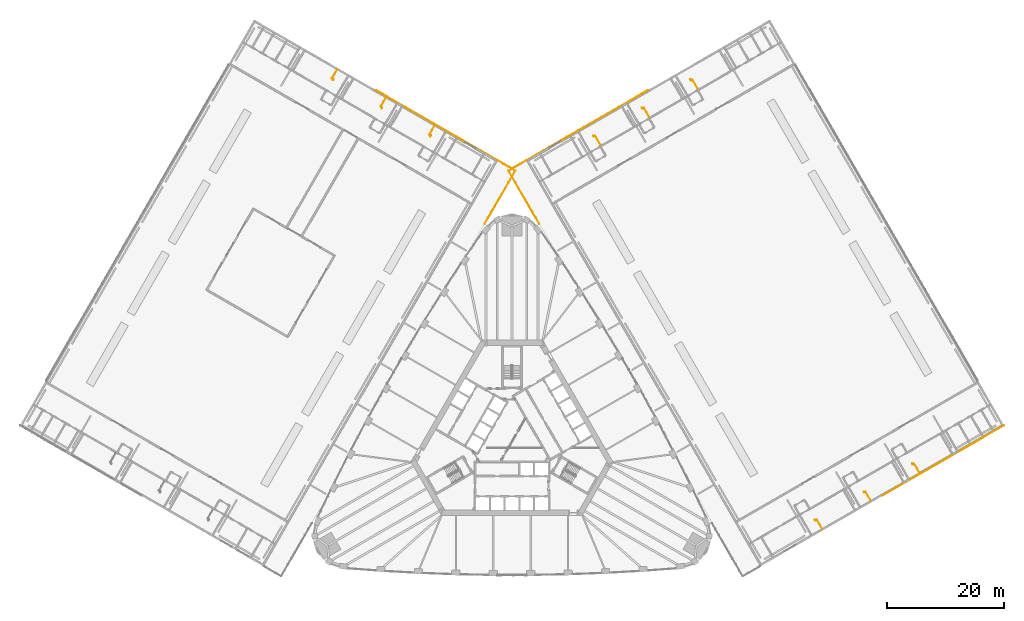
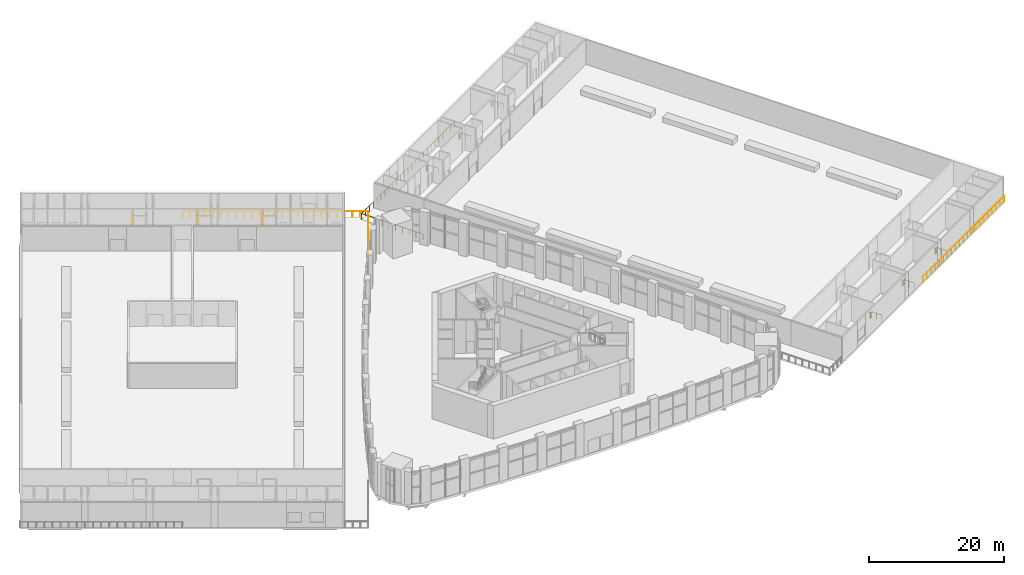
# One storey, part 40 of 41: 12 railings.
"""IFC4 building model written with IfcOpenShell, lengths in metres."""

from ifc_helpers import new_model, si_unit, direction, frame, origin, origin_2d, place, context, subcontext, project, spatial, circle, extrude, material, type_object, element, save


model = new_model("IFC4")

# Units and contexts
model_context = context("Model", 3, precision=1e-05, world=origin(), true_north=direction((0.0, 1.0)))
body_context = subcontext(model_context, "Body", "Model", "MODEL_VIEW")
ifc_project = project(units=[si_unit("LENGTHUNIT", "METRE"), si_unit("AREAUNIT", "SQUARE_METRE"), si_unit("VOLUMEUNIT", "CUBIC_METRE"), si_unit("PLANEANGLEUNIT", "RADIAN"), si_unit("MASSUNIT", "GRAM", prefix="KILO")], contexts=[model_context])

# Site, building, storey
site_placement = place(None, origin())
site = spatial("IfcSite", under=ifc_project, at=site_placement, CompositionType="ELEMENT")
building_placement = place(site_placement, origin())
building = spatial("IfcBuilding", under=site, at=building_placement, Name="Mestral Congress Tower", CompositionType="ELEMENT")
storey_placement = place(building_placement, frame((0.0, 0.0, 21.60009765625)))
storey = spatial("IfcBuildingStorey", under=building, at=storey_placement, Name="L04", CompositionType="ELEMENT", Elevation=21.60009765625)

# Railings
ifc_material = material(Name="Steel balustrade", Category="steel")
railing_type_1 = type_object("IfcRailingType", Name="Podium deck guard 1100", PredefinedType="GUARDRAIL", material=ifc_material)
railing_1_placement = place(storey_placement, frame((4.66455078125, 36.77685546875, 0.0)))
element("IfcRailing", 1, at=railing_1_placement, inside=storey, type_object=railing_type_1, Name="Garden deck guard", PredefinedType="GUARDRAIL", context=body_context, shape_type="SweptSolid", body=[
    extrude(circle(Radius=0.02392578125, at=origin_2d()), frame((0.0, 0.0, 1.076171875), z_axis=(-0.500014106551, 0.86601725921, 0.0), x_axis=(-0.86601725921, -0.500014106551, 0.0)), (0.0, 0.0, 1.0), 10.482666015625),
    extrude(circle(Radius=0.02392578125, at=origin_2d()), frame((-5.241455078125, 9.078125, 1.076171875), z_axis=(0.866036909293, 0.499980071345, 0.0), x_axis=(-0.499980071345, 0.866036909293, 0.0)), (0.0, 0.0, 1.0), 3.500244140625),
    extrude(circle(Radius=0.02392578125, at=origin_2d()), frame((-2.210205078125, 10.828125, 1.076171875), z_axis=(0.866026010844, 0.49999894854, 0.0), x_axis=(-0.49999894854, 0.866026010844, 0.0)), (0.0, 0.0, 1.0), 24.0),
    extrude(circle(Radius=0.02099609375, at=origin_2d()), origin(), (0.0, 0.0, 1.0), 1.052001953125),
    extrude(circle(Radius=0.02099609375, at=origin_2d()), frame((-0.582275390625, 1.0087890625, 0.0)), (0.0, 0.0, 1.0), 1.052001953125),
    extrude(circle(Radius=0.02099609375, at=origin_2d()), frame((-1.164794921875, 2.017333984375, 0.0)), (0.0, 0.0, 1.0), 1.052001953125),
    extrude(circle(Radius=0.02099609375, at=origin_2d()), frame((-1.7470703125, 3.026123046875, 0.0)), (0.0, 0.0, 1.0), 1.052001953125),
    extrude(circle(Radius=0.02099609375, at=origin_2d()), frame((-2.32958984375, 4.03466796875, 0.0)), (0.0, 0.0, 1.0), 1.052001953125),
    extrude(circle(Radius=0.02099609375, at=origin_2d()), frame((-2.911865234375, 5.04345703125, 0.0)), (0.0, 0.0, 1.0), 1.052001953125),
    extrude(circle(Radius=0.02099609375, at=origin_2d()), frame((-3.494384765625, 6.052001953125, 0.0)), (0.0, 0.0, 1.0), 1.052001953125),
    extrude(circle(Radius=0.02099609375, at=origin_2d()), frame((-4.07666015625, 7.060791015625, 0.0)), (0.0, 0.0, 1.0), 1.052001953125),
    extrude(circle(Radius=0.02099609375, at=origin_2d()), frame((-4.6591796875, 8.0693359375, 0.0)), (0.0, 0.0, 1.0), 1.052001953125),
    extrude(circle(Radius=0.02099609375, at=origin_2d()), frame((-5.241455078125, 9.078125, 0.0)), (0.0, 0.0, 1.0), 1.052001953125),
    extrude(circle(Radius=0.02099609375, at=origin_2d()), frame((-4.23095703125, 9.661376953125, 0.0)), (0.0, 0.0, 1.0), 1.052001953125),
    extrude(circle(Radius=0.02099609375, at=origin_2d()), frame((-3.220703125, 10.244873046875, 0.0)), (0.0, 0.0, 1.0), 1.052001953125),
    extrude(circle(Radius=0.02099609375, at=origin_2d()), frame((-2.210205078125, 10.828125, 0.0)), (0.0, 0.0, 1.0), 1.052001953125),
    extrude(circle(Radius=0.02099609375, at=origin_2d()), frame((-1.220458984375, 11.399658203125, 0.0)), (0.0, 0.0, 1.0), 1.052001953125),
    extrude(circle(Radius=0.02099609375, at=origin_2d()), frame((-0.230712890625, 11.970947265625, 0.0)), (0.0, 0.0, 1.0), 1.052001953125),
    extrude(circle(Radius=0.02099609375, at=origin_2d()), frame((0.759033203125, 12.54248046875, 0.0)), (0.0, 0.0, 1.0), 1.052001953125),
    extrude(circle(Radius=0.02099609375, at=origin_2d()), frame((1.748779296875, 13.11376953125, 0.0)), (0.0, 0.0, 1.0), 1.052001953125),
    extrude(circle(Radius=0.02099609375, at=origin_2d()), frame((2.738525390625, 13.685302734375, 0.0)), (0.0, 0.0, 1.0), 1.052001953125),
    extrude(circle(Radius=0.02099609375, at=origin_2d()), frame((3.728271484375, 14.256591796875, 0.0)), (0.0, 0.0, 1.0), 1.052001953125),
    extrude(circle(Radius=0.02099609375, at=origin_2d()), frame((4.718017578125, 14.828125, 0.0)), (0.0, 0.0, 1.0), 1.052001953125),
    extrude(circle(Radius=0.02099609375, at=origin_2d()), frame((5.707763671875, 15.399658203125, 0.0)), (0.0, 0.0, 1.0), 1.052001953125),
    extrude(circle(Radius=0.02099609375, at=origin_2d()), frame((6.697509765625, 15.970947265625, 0.0)), (0.0, 0.0, 1.0), 1.052001953125),
    extrude(circle(Radius=0.02099609375, at=origin_2d()), frame((7.687255859375, 16.54248046875, 0.0)), (0.0, 0.0, 1.0), 1.052001953125),
    extrude(circle(Radius=0.02099609375, at=origin_2d()), frame((8.677001953125, 17.11376953125, 0.0)), (0.0, 0.0, 1.0), 1.052001953125),
    extrude(circle(Radius=0.02099609375, at=origin_2d()), frame((9.666748046875, 17.685302734375, 0.0)), (0.0, 0.0, 1.0), 1.052001953125),
    extrude(circle(Radius=0.02099609375, at=origin_2d()), frame((10.656494140625, 18.256591796875, 0.0)), (0.0, 0.0, 1.0), 1.052001953125),
    extrude(circle(Radius=0.02099609375, at=origin_2d()), frame((11.646240234375, 18.828125, 0.0)), (0.0, 0.0, 1.0), 1.052001953125),
    extrude(circle(Radius=0.02099609375, at=origin_2d()), frame((12.635986328125, 19.399658203125, 0.0)), (0.0, 0.0, 1.0), 1.052001953125),
    extrude(circle(Radius=0.02099609375, at=origin_2d()), frame((13.625732421875, 19.970947265625, 0.0)), (0.0, 0.0, 1.0), 1.052001953125),
    extrude(circle(Radius=0.02099609375, at=origin_2d()), frame((14.615478515625, 20.54248046875, 0.0)), (0.0, 0.0, 1.0), 1.052001953125),
    extrude(circle(Radius=0.02099609375, at=origin_2d()), frame((15.605224609375, 21.11376953125, 0.0)), (0.0, 0.0, 1.0), 1.052001953125),
    extrude(circle(Radius=0.02099609375, at=origin_2d()), frame((16.594970703125, 21.685302734375, 0.0)), (0.0, 0.0, 1.0), 1.052001953125),
    extrude(circle(Radius=0.02099609375, at=origin_2d()), frame((17.584716796875, 22.256591796875, 0.0)), (0.0, 0.0, 1.0), 1.052001953125),
    extrude(circle(Radius=0.02099609375, at=origin_2d()), frame((18.574462890625, 22.828125, 0.0)), (0.0, 0.0, 1.0), 1.052001953125),
])
railing_2_placement = place(storey_placement, frame((84.0234375, 2.322998046875, 0.0)))
element("IfcRailing", 2, at=railing_2_placement, inside=storey, type_object=railing_type_1, Name="Garden deck guard", PredefinedType="GUARDRAIL", context=body_context, shape_type="SweptSolid", body=[
    extrude(circle(Radius=0.02392578125, at=origin_2d()), frame((0.0, 0.0, 1.076171875), z_axis=(-0.866023467695, -0.50000335339, 0.0), x_axis=(0.50000335339, -0.866023467695, 0.0)), (0.0, 0.0, 1.0), 23.999755859375),
    extrude(circle(Radius=0.02099609375, at=origin_2d()), origin(), (0.0, 0.0, 1.0), 1.052001953125),
    extrude(circle(Radius=0.02099609375, at=origin_2d()), frame((-1.039306640625, -0.60009765625, 0.0)), (0.0, 0.0, 1.0), 1.052001953125),
    extrude(circle(Radius=0.02099609375, at=origin_2d()), frame((-2.078369140625, -1.199951171875, 0.0)), (0.0, 0.0, 1.0), 1.052001953125),
    extrude(circle(Radius=0.02099609375, at=origin_2d()), frame((-3.11767578125, -1.800048828125, 0.0)), (0.0, 0.0, 1.0), 1.052001953125),
    extrude(circle(Radius=0.02099609375, at=origin_2d()), frame((-4.156982421875, -2.39990234375, 0.0)), (0.0, 0.0, 1.0), 1.052001953125),
    extrude(circle(Radius=0.02099609375, at=origin_2d()), frame((-5.196044921875, -3.0, 0.0)), (0.0, 0.0, 1.0), 1.052001953125),
    extrude(circle(Radius=0.02099609375, at=origin_2d()), frame((-6.2353515625, -3.60009765625, 0.0)), (0.0, 0.0, 1.0), 1.052001953125),
    extrude(circle(Radius=0.02099609375, at=origin_2d()), frame((-7.274658203125, -4.199951171875, 0.0)), (0.0, 0.0, 1.0), 1.052001953125),
    extrude(circle(Radius=0.02099609375, at=origin_2d()), frame((-8.313720703125, -4.800048828125, 0.0)), (0.0, 0.0, 1.0), 1.052001953125),
    extrude(circle(Radius=0.02099609375, at=origin_2d()), frame((-9.35302734375, -5.39990234375, 0.0)), (0.0, 0.0, 1.0), 1.052001953125),
    extrude(circle(Radius=0.02099609375, at=origin_2d()), frame((-10.39208984375, -6.0, 0.0)), (0.0, 0.0, 1.0), 1.052001953125),
    extrude(circle(Radius=0.02099609375, at=origin_2d()), frame((-11.431396484375, -6.60009765625, 0.0)), (0.0, 0.0, 1.0), 1.052001953125),
    extrude(circle(Radius=0.02099609375, at=origin_2d()), frame((-12.470703125, -7.199951171875, 0.0)), (0.0, 0.0, 1.0), 1.052001953125),
    extrude(circle(Radius=0.02099609375, at=origin_2d()), frame((-13.509765625, -7.800048828125, 0.0)), (0.0, 0.0, 1.0), 1.052001953125),
    extrude(circle(Radius=0.02099609375, at=origin_2d()), frame((-14.549072265625, -8.39990234375, 0.0)), (0.0, 0.0, 1.0), 1.052001953125),
    extrude(circle(Radius=0.02099609375, at=origin_2d()), frame((-15.58837890625, -9.0, 0.0)), (0.0, 0.0, 1.0), 1.052001953125),
    extrude(circle(Radius=0.02099609375, at=origin_2d()), frame((-16.62744140625, -9.60009765625, 0.0)), (0.0, 0.0, 1.0), 1.052001953125),
    extrude(circle(Radius=0.02099609375, at=origin_2d()), frame((-17.666748046875, -10.199951171875, 0.0)), (0.0, 0.0, 1.0), 1.052001953125),
    extrude(circle(Radius=0.02099609375, at=origin_2d()), frame((-18.7060546875, -10.800048828125, 0.0)), (0.0, 0.0, 1.0), 1.052001953125),
    extrude(circle(Radius=0.02099609375, at=origin_2d()), frame((-19.7451171875, -11.39990234375, 0.0)), (0.0, 0.0, 1.0), 1.052001953125),
    extrude(circle(Radius=0.02099609375, at=origin_2d()), frame((-20.784423828125, -12.0, 0.0)), (0.0, 0.0, 1.0), 1.052001953125),
])
railing_3_placement = place(storey_placement, frame((-23.239013671875, 59.60498046875, 0.0)))
element("IfcRailing", 3, at=railing_3_placement, inside=storey, type_object=railing_type_1, Name="Garden deck guard", PredefinedType="GUARDRAIL", context=body_context, shape_type="SweptSolid", body=[
    extrude(circle(Radius=0.02392578125, at=origin_2d()), frame((0.0, 0.0, 1.076171875), z_axis=(0.866026010844, -0.49999894854, 0.0), x_axis=(0.49999894854, 0.866026010844, 0.0)), (0.0, 0.0, 1.0), 24.0),
    extrude(circle(Radius=0.02392578125, at=origin_2d()), frame((20.78466796875, -12.0, 1.076171875), z_axis=(0.866036909293, -0.499980071345, 0.0), x_axis=(0.499980071345, 0.866036909293, 0.0)), (0.0, 0.0, 1.0), 3.500244140625),
    extrude(circle(Radius=0.02392578125, at=origin_2d()), frame((23.81591796875, -13.75, 1.076171875), z_axis=(-0.500014106551, -0.86601725921, 0.0), x_axis=(0.86601725921, -0.500014106551, 0.0)), (0.0, 0.0, 1.0), 10.482666015625),
    extrude(circle(Radius=0.02099609375, at=origin_2d()), origin(), (0.0, 0.0, 1.0), 1.052001953125),
    extrude(circle(Radius=0.02099609375, at=origin_2d()), frame((0.98974609375, -0.571533203125, 0.0)), (0.0, 0.0, 1.0), 1.052001953125),
    extrude(circle(Radius=0.02099609375, at=origin_2d()), frame((1.9794921875, -1.142822265625, 0.0)), (0.0, 0.0, 1.0), 1.052001953125),
    extrude(circle(Radius=0.02099609375, at=origin_2d()), frame((2.96923828125, -1.71435546875, 0.0)), (0.0, 0.0, 1.0), 1.052001953125),
    extrude(circle(Radius=0.02099609375, at=origin_2d()), frame((3.958984375, -2.28564453125, 0.0)), (0.0, 0.0, 1.0), 1.052001953125),
    extrude(circle(Radius=0.02099609375, at=origin_2d()), frame((4.94873046875, -2.857177734375, 0.0)), (0.0, 0.0, 1.0), 1.052001953125),
    extrude(circle(Radius=0.02099609375, at=origin_2d()), frame((5.9384765625, -3.428466796875, 0.0)), (0.0, 0.0, 1.0), 1.052001953125),
    extrude(circle(Radius=0.02099609375, at=origin_2d()), frame((6.92822265625, -4.0, 0.0)), (0.0, 0.0, 1.0), 1.052001953125),
    extrude(circle(Radius=0.02099609375, at=origin_2d()), frame((7.91796875, -4.571533203125, 0.0)), (0.0, 0.0, 1.0), 1.052001953125),
    extrude(circle(Radius=0.02099609375, at=origin_2d()), frame((8.90771484375, -5.142822265625, 0.0)), (0.0, 0.0, 1.0), 1.052001953125),
    extrude(circle(Radius=0.02099609375, at=origin_2d()), frame((9.8974609375, -5.71435546875, 0.0)), (0.0, 0.0, 1.0), 1.052001953125),
    extrude(circle(Radius=0.02099609375, at=origin_2d()), frame((10.88720703125, -6.28564453125, 0.0)), (0.0, 0.0, 1.0), 1.052001953125),
    extrude(circle(Radius=0.02099609375, at=origin_2d()), frame((11.876953125, -6.857177734375, 0.0)), (0.0, 0.0, 1.0), 1.052001953125),
    extrude(circle(Radius=0.02099609375, at=origin_2d()), frame((12.86669921875, -7.428466796875, 0.0)), (0.0, 0.0, 1.0), 1.052001953125),
    extrude(circle(Radius=0.02099609375, at=origin_2d()), frame((13.8564453125, -8.0, 0.0)), (0.0, 0.0, 1.0), 1.052001953125),
    extrude(circle(Radius=0.02099609375, at=origin_2d()), frame((14.84619140625, -8.571533203125, 0.0)), (0.0, 0.0, 1.0), 1.052001953125),
    extrude(circle(Radius=0.02099609375, at=origin_2d()), frame((15.8359375, -9.142822265625, 0.0)), (0.0, 0.0, 1.0), 1.052001953125),
    extrude(circle(Radius=0.02099609375, at=origin_2d()), frame((16.82568359375, -9.71435546875, 0.0)), (0.0, 0.0, 1.0), 1.052001953125),
    extrude(circle(Radius=0.02099609375, at=origin_2d()), frame((17.8154296875, -10.28564453125, 0.0)), (0.0, 0.0, 1.0), 1.052001953125),
    extrude(circle(Radius=0.02099609375, at=origin_2d()), frame((18.80517578125, -10.857177734375, 0.0)), (0.0, 0.0, 1.0), 1.052001953125),
    extrude(circle(Radius=0.02099609375, at=origin_2d()), frame((19.794921875, -11.428466796875, 0.0)), (0.0, 0.0, 1.0), 1.052001953125),
    extrude(circle(Radius=0.02099609375, at=origin_2d()), frame((20.78466796875, -12.0, 0.0)), (0.0, 0.0, 1.0), 1.052001953125),
    extrude(circle(Radius=0.02099609375, at=origin_2d()), frame((21.795166015625, -12.583251953125, 0.0)), (0.0, 0.0, 1.0), 1.052001953125),
    extrude(circle(Radius=0.02099609375, at=origin_2d()), frame((22.805419921875, -13.166748046875, 0.0)), (0.0, 0.0, 1.0), 1.052001953125),
    extrude(circle(Radius=0.02099609375, at=origin_2d()), frame((23.81591796875, -13.75, 0.0)), (0.0, 0.0, 1.0), 1.052001953125),
    extrude(circle(Radius=0.02099609375, at=origin_2d()), frame((23.233642578125, -14.7587890625, 0.0)), (0.0, 0.0, 1.0), 1.052001953125),
    extrude(circle(Radius=0.02099609375, at=origin_2d()), frame((22.651123046875, -15.767333984375, 0.0)), (0.0, 0.0, 1.0), 1.052001953125),
    extrude(circle(Radius=0.02099609375, at=origin_2d()), frame((22.06884765625, -16.776123046875, 0.0)), (0.0, 0.0, 1.0), 1.052001953125),
    extrude(circle(Radius=0.02099609375, at=origin_2d()), frame((21.486328125, -17.78466796875, 0.0)), (0.0, 0.0, 1.0), 1.052001953125),
    extrude(circle(Radius=0.02099609375, at=origin_2d()), frame((20.904052734375, -18.79345703125, 0.0)), (0.0, 0.0, 1.0), 1.052001953125),
    extrude(circle(Radius=0.02099609375, at=origin_2d()), frame((20.321533203125, -19.802001953125, 0.0)), (0.0, 0.0, 1.0), 1.052001953125),
    extrude(circle(Radius=0.02099609375, at=origin_2d()), frame((19.7392578125, -20.810791015625, 0.0)), (0.0, 0.0, 1.0), 1.052001953125),
    extrude(circle(Radius=0.02099609375, at=origin_2d()), frame((19.15673828125, -21.8193359375, 0.0)), (0.0, 0.0, 1.0), 1.052001953125),
    extrude(circle(Radius=0.02099609375, at=origin_2d()), frame((18.574462890625, -22.828125, 0.0)), (0.0, 0.0, 1.0), 1.052001953125),
])
railing_type_2 = type_object("IfcRailingType", Name="Podium stair guard 1100", PredefinedType="GUARDRAIL", material=ifc_material)
railing_4_placement = place(storey_placement, frame((52.9814453125, -15.310546875, 0.0)))
element("IfcRailing", 4, at=railing_4_placement, inside=storey, type_object=railing_type_2, Name="L04 PS-E1 top well guard 1", PredefinedType="GUARDRAIL", context=body_context, shape_type="SweptSolid", body=[
    extrude(circle(Radius=0.02392578125, at=origin_2d()), frame((0.0, 0.0, 1.076171875), z_axis=(-0.499980071345, 0.866036909293, 0.0), x_axis=(-0.866036909293, -0.499980071345, 0.0)), (0.0, 0.0, 1.0), 1.75),
    extrude(circle(Radius=0.02392578125, at=origin_2d()), frame((-0.875, 1.515625, 1.076171875), z_axis=(-0.866059450854, -0.499941024108, 0.0), x_axis=(0.499941024108, -0.866059450854, 0.0)), (0.0, 0.0, 1.0), 0.2900390625),
    extrude(circle(Radius=0.02392578125, at=origin_2d()), frame((-1.126220703125, 1.37060546875, 1.076171875), z_axis=(-0.499687197852, 0.866205924883, 0.0), x_axis=(-0.866205924883, -0.499687197852, 0.0)), (0.0, 0.0, 1.0), 0.199951171875),
    extrude(circle(Radius=0.02099609375, at=origin_2d()), origin(), (0.0, 0.0, 1.0), 1.052001953125),
    extrude(circle(Radius=0.02099609375, at=origin_2d()), frame((-0.4375, 0.7578125, 0.0)), (0.0, 0.0, 1.0), 1.052001953125),
    extrude(circle(Radius=0.02099609375, at=origin_2d()), frame((-0.875, 1.515625, 0.0)), (0.0, 0.0, 1.0), 1.052001953125),
    extrude(circle(Radius=0.02099609375, at=origin_2d()), frame((-1.126220703125, 1.37060546875, 0.0)), (0.0, 0.0, 1.0), 1.052001953125),
    extrude(circle(Radius=0.02099609375, at=origin_2d()), frame((-1.22607421875, 1.543701171875, 0.0)), (0.0, 0.0, 1.0), 1.052001953125),
])
railing_5_placement = place(storey_placement, frame((61.295166015625, -10.510498046875, 0.0)))
element("IfcRailing", 5, at=railing_5_placement, inside=storey, type_object=railing_type_2, Name="L04 PS-E2 top well guard 1", PredefinedType="GUARDRAIL", context=body_context, shape_type="SweptSolid", body=[
    extrude(circle(Radius=0.02392578125, at=origin_2d()), frame((0.0, 0.0, 1.076171875), z_axis=(-0.499980071345, 0.866036909293, 0.0), x_axis=(-0.866036909293, -0.499980071345, 0.0)), (0.0, 0.0, 1.0), 1.75),
    extrude(circle(Radius=0.02392578125, at=origin_2d()), frame((-0.875, 1.515625, 1.076171875), z_axis=(-0.865848857387, -0.500305662732, 0.0), x_axis=(0.500305662732, -0.865848857387, 0.0)), (0.0, 0.0, 1.0), 0.289794921875),
    extrude(circle(Radius=0.02392578125, at=origin_2d()), frame((-1.1259765625, 1.37060546875, 1.076171875), z_axis=(-0.500603037456, 0.865676959893, 0.0), x_axis=(-0.865676959893, -0.500603037456, 0.0)), (0.0, 0.0, 1.0), 0.199951171875),
    extrude(circle(Radius=0.02099609375, at=origin_2d()), origin(), (0.0, 0.0, 1.0), 1.052001953125),
    extrude(circle(Radius=0.02099609375, at=origin_2d()), frame((-0.4375, 0.7578125, 0.0)), (0.0, 0.0, 1.0), 1.052001953125),
    extrude(circle(Radius=0.02099609375, at=origin_2d()), frame((-0.875, 1.515625, 0.0)), (0.0, 0.0, 1.0), 1.052001953125),
    extrude(circle(Radius=0.02099609375, at=origin_2d()), frame((-1.1259765625, 1.37060546875, 0.0)), (0.0, 0.0, 1.0), 1.052001953125),
    extrude(circle(Radius=0.02099609375, at=origin_2d()), frame((-1.22607421875, 1.543701171875, 0.0)), (0.0, 0.0, 1.0), 1.052001953125),
])
railing_6_placement = place(storey_placement, frame((69.609130859375, -5.71044921875, 0.0)))
element("IfcRailing", 6, at=railing_6_placement, inside=storey, type_object=railing_type_2, Name="L04 PS-E3 top well guard 1", PredefinedType="GUARDRAIL", context=body_context, shape_type="SweptSolid", body=[
    extrude(circle(Radius=0.02392578125, at=origin_2d()), frame((0.0, 0.0, 1.076171875), z_axis=(-0.500040482552, 0.866002029911, 0.0), x_axis=(-0.866002029911, -0.500040482552, 0.0)), (0.0, 0.0, 1.0), 1.749755859375),
    extrude(circle(Radius=0.02392578125, at=origin_2d()), frame((-0.875, 1.515380859375, 1.076171875), z_axis=(-0.86642379104, -0.499309337305, 0.0), x_axis=(0.499309337305, -0.86642379104, 0.0)), (0.0, 0.0, 1.0), 0.2900390625),
    extrude(circle(Radius=0.02392578125, at=origin_2d()), frame((-1.126220703125, 1.37060546875, 1.076171875), z_axis=(-0.500603037456, 0.865676959893, 0.0), x_axis=(-0.865676959893, -0.500603037456, 0.0)), (0.0, 0.0, 1.0), 0.199951171875),
    extrude(circle(Radius=0.02099609375, at=origin_2d()), origin(), (0.0, 0.0, 1.0), 1.052001953125),
    extrude(circle(Radius=0.02099609375, at=origin_2d()), frame((-0.4375, 0.7578125, 0.0)), (0.0, 0.0, 1.0), 1.052001953125),
    extrude(circle(Radius=0.02099609375, at=origin_2d()), frame((-0.875, 1.515380859375, 0.0)), (0.0, 0.0, 1.0), 1.052001953125),
    extrude(circle(Radius=0.02099609375, at=origin_2d()), frame((-1.126220703125, 1.37060546875, 0.0)), (0.0, 0.0, 1.0), 1.052001953125),
    extrude(circle(Radius=0.02099609375, at=origin_2d()), frame((-1.226318359375, 1.543701171875, 0.0)), (0.0, 0.0, 1.0), 1.052001953125),
])
railing_7_placement = place(storey_placement, frame((15.1064453125, 50.291015625, 0.0)))
element("IfcRailing", 7, at=railing_7_placement, inside=storey, type_object=railing_type_2, Name="L04 PS-E4 top well guard 1", PredefinedType="GUARDRAIL", context=body_context, shape_type="SweptSolid", body=[
    extrude(circle(Radius=0.02392578125, at=origin_2d()), frame((0.0, 0.0, 1.076171875), z_axis=(-0.500040482552, 0.866002029911, 0.0), x_axis=(-0.866002029911, -0.500040482552, 0.0)), (0.0, 0.0, 1.0), 1.749755859375),
    extrude(circle(Radius=0.02392578125, at=origin_2d()), frame((-0.875, 1.515380859375, 1.076171875), z_axis=(-0.866059450854, -0.499941024108, 0.0), x_axis=(0.499941024108, -0.866059450854, 0.0)), (0.0, 0.0, 1.0), 0.2900390625),
    extrude(circle(Radius=0.02392578125, at=origin_2d()), frame((-1.126220703125, 1.370361328125, 1.076171875), z_axis=(-0.499158860599, 0.866510491504, 0.0), x_axis=(-0.866510491504, -0.499158860599, 0.0)), (0.0, 0.0, 1.0), 0.199951171875),
    extrude(circle(Radius=0.02099609375, at=origin_2d()), origin(), (0.0, 0.0, 1.0), 1.052001953125),
    extrude(circle(Radius=0.02099609375, at=origin_2d()), frame((-0.4375, 0.7578125, 0.0)), (0.0, 0.0, 1.0), 1.052001953125),
    extrude(circle(Radius=0.02099609375, at=origin_2d()), frame((-0.875, 1.515380859375, 0.0)), (0.0, 0.0, 1.0), 1.052001953125),
    extrude(circle(Radius=0.02099609375, at=origin_2d()), frame((-1.126220703125, 1.370361328125, 0.0)), (0.0, 0.0, 1.0), 1.052001953125),
    extrude(circle(Radius=0.02099609375, at=origin_2d()), frame((-1.22607421875, 1.543701171875, 0.0)), (0.0, 0.0, 1.0), 1.052001953125),
])
railing_8_placement = place(storey_placement, frame((23.420166015625, 55.0908203125, 0.0)))
element("IfcRailing", 8, at=railing_8_placement, inside=storey, type_object=railing_type_2, Name="L04 PS-E5 top well guard 1", PredefinedType="GUARDRAIL", context=body_context, shape_type="SweptSolid", body=[
    extrude(circle(Radius=0.02392578125, at=origin_2d()), frame((0.0, 0.0, 1.076171875), z_axis=(-0.499980071345, 0.866036909293, 0.0), x_axis=(-0.866036909293, -0.499980071345, 0.0)), (0.0, 0.0, 1.0), 1.75),
    extrude(circle(Radius=0.02392578125, at=origin_2d()), frame((-0.875, 1.515625, 1.076171875), z_axis=(-0.865848857387, -0.500305662732, 0.0), x_axis=(0.500305662732, -0.865848857387, 0.0)), (0.0, 0.0, 1.0), 0.289794921875),
    extrude(circle(Radius=0.02392578125, at=origin_2d()), frame((-1.1259765625, 1.37060546875, 1.076171875), z_axis=(-0.500074377092, 0.865982457891, 0.0), x_axis=(-0.865982457891, -0.500074377092, 0.0)), (0.0, 0.0, 1.0), 0.2001953125),
    extrude(circle(Radius=0.02099609375, at=origin_2d()), origin(), (0.0, 0.0, 1.0), 1.052001953125),
    extrude(circle(Radius=0.02099609375, at=origin_2d()), frame((-0.4375, 0.7578125, 0.0)), (0.0, 0.0, 1.0), 1.052001953125),
    extrude(circle(Radius=0.02099609375, at=origin_2d()), frame((-0.875, 1.515625, 0.0)), (0.0, 0.0, 1.0), 1.052001953125),
    extrude(circle(Radius=0.02099609375, at=origin_2d()), frame((-1.1259765625, 1.37060546875, 0.0)), (0.0, 0.0, 1.0), 1.052001953125),
    extrude(circle(Radius=0.02099609375, at=origin_2d()), frame((-1.22607421875, 1.5439453125, 0.0)), (0.0, 0.0, 1.0), 1.052001953125),
])
railing_9_placement = place(storey_placement, frame((31.734130859375, 59.890869140625, 0.0)))
element("IfcRailing", 9, at=railing_9_placement, inside=storey, type_object=railing_type_2, Name="L04 PS-E6 top well guard 1", PredefinedType="GUARDRAIL", context=body_context, shape_type="SweptSolid", body=[
    extrude(circle(Radius=0.02392578125, at=origin_2d()), frame((0.0, 0.0, 1.076171875), z_axis=(-0.499980071345, 0.866036909293, 0.0), x_axis=(-0.866036909293, -0.499980071345, 0.0)), (0.0, 0.0, 1.0), 1.75),
    extrude(circle(Radius=0.02392578125, at=origin_2d()), frame((-0.875, 1.515625, 1.076171875), z_axis=(-0.866059450854, -0.499941024108, 0.0), x_axis=(0.499941024108, -0.866059450854, 0.0)), (0.0, 0.0, 1.0), 0.2900390625),
    extrude(circle(Radius=0.02392578125, at=origin_2d()), frame((-1.126220703125, 1.37060546875, 1.076171875), z_axis=(-0.500603037456, 0.865676959893, 0.0), x_axis=(-0.865676959893, -0.500603037456, 0.0)), (0.0, 0.0, 1.0), 0.199951171875),
    extrude(circle(Radius=0.02099609375, at=origin_2d()), origin(), (0.0, 0.0, 1.0), 1.052001953125),
    extrude(circle(Radius=0.02099609375, at=origin_2d()), frame((-0.4375, 0.7578125, 0.0)), (0.0, 0.0, 1.0), 1.052001953125),
    extrude(circle(Radius=0.02099609375, at=origin_2d()), frame((-0.875, 1.515625, 0.0)), (0.0, 0.0, 1.0), 1.052001953125),
    extrude(circle(Radius=0.02099609375, at=origin_2d()), frame((-1.126220703125, 1.37060546875, 0.0)), (0.0, 0.0, 1.0), 1.052001953125),
    extrude(circle(Radius=0.02099609375, at=origin_2d()), frame((-1.226318359375, 1.543701171875, 0.0)), (0.0, 0.0, 1.0), 1.052001953125),
])
railing_10_placement = place(storey_placement, frame((-13.2314453125, 53.53857421875, 0.0)))
element("IfcRailing", 10, at=railing_10_placement, inside=storey, type_object=railing_type_2, Name="L04 PS-W1 top well guard 1", PredefinedType="GUARDRAIL", context=body_context, shape_type="SweptSolid", body=[
    extrude(circle(Radius=0.02392578125, at=origin_2d()), frame((0.0, 0.0, 1.076171875), z_axis=(-0.499980071345, -0.866036909293, 0.0), x_axis=(0.866036909293, -0.499980071345, 0.0)), (0.0, 0.0, 1.0), 1.75),
    extrude(circle(Radius=0.02392578125, at=origin_2d()), frame((-0.875, -1.515625, 1.076171875), z_axis=(0.866059450854, -0.499941024108, 0.0), x_axis=(0.499941024108, 0.866059450854, 0.0)), (0.0, 0.0, 1.0), 0.2900390625),
    extrude(circle(Radius=0.02392578125, at=origin_2d()), frame((-0.623779296875, -1.66064453125, 1.076171875), z_axis=(-0.500603037456, -0.865676959893, 0.0), x_axis=(0.865676959893, -0.500603037456, 0.0)), (0.0, 0.0, 1.0), 0.199951171875),
    extrude(circle(Radius=0.02099609375, at=origin_2d()), origin(), (0.0, 0.0, 1.0), 1.052001953125),
    extrude(circle(Radius=0.02099609375, at=origin_2d()), frame((-0.4375, -0.7578125, 0.0)), (0.0, 0.0, 1.0), 1.052001953125),
    extrude(circle(Radius=0.02099609375, at=origin_2d()), frame((-0.875, -1.515625, 0.0)), (0.0, 0.0, 1.0), 1.052001953125),
    extrude(circle(Radius=0.02099609375, at=origin_2d()), frame((-0.623779296875, -1.66064453125, 0.0)), (0.0, 0.0, 1.0), 1.052001953125),
    extrude(circle(Radius=0.02099609375, at=origin_2d()), frame((-0.723876953125, -1.833740234375, 0.0)), (0.0, 0.0, 1.0), 1.052001953125),
])
railing_11_placement = place(storey_placement, frame((-21.545166015625, 58.33837890625, 0.0)))
element("IfcRailing", 11, at=railing_11_placement, inside=storey, type_object=railing_type_2, Name="L04 PS-W2 top well guard 1", PredefinedType="GUARDRAIL", context=body_context, shape_type="SweptSolid", body=[
    extrude(circle(Radius=0.02392578125, at=origin_2d()), frame((0.0, 0.0, 1.076171875), z_axis=(-0.500040482552, -0.866002029911, 0.0), x_axis=(0.866002029911, -0.500040482552, 0.0)), (0.0, 0.0, 1.0), 1.749755859375),
    extrude(circle(Radius=0.02392578125, at=origin_2d()), frame((-0.875, -1.515380859375, 1.076171875), z_axis=(0.865848857387, -0.500305662732, 0.0), x_axis=(0.500305662732, 0.865848857387, 0.0)), (0.0, 0.0, 1.0), 0.289794921875),
    extrude(circle(Radius=0.02392578125, at=origin_2d()), frame((-0.6240234375, -1.660400390625, 1.076171875), z_axis=(-0.499158860599, -0.866510491504, 0.0), x_axis=(0.866510491504, -0.499158860599, 0.0)), (0.0, 0.0, 1.0), 0.199951171875),
    extrude(circle(Radius=0.02099609375, at=origin_2d()), origin(), (0.0, 0.0, 1.0), 1.052001953125),
    extrude(circle(Radius=0.02099609375, at=origin_2d()), frame((-0.4375, -0.7578125, 0.0)), (0.0, 0.0, 1.0), 1.052001953125),
    extrude(circle(Radius=0.02099609375, at=origin_2d()), frame((-0.875, -1.515380859375, 0.0)), (0.0, 0.0, 1.0), 1.052001953125),
    extrude(circle(Radius=0.02099609375, at=origin_2d()), frame((-0.6240234375, -1.660400390625, 0.0)), (0.0, 0.0, 1.0), 1.052001953125),
    extrude(circle(Radius=0.02099609375, at=origin_2d()), frame((-0.723876953125, -1.833740234375, 0.0)), (0.0, 0.0, 1.0), 1.052001953125),
])
railing_12_placement = place(storey_placement, frame((-29.859130859375, 63.138427734375, 0.0)))
element("IfcRailing", 12, at=railing_12_placement, inside=storey, type_object=railing_type_2, Name="L04 PS-W3 top well guard 1", PredefinedType="GUARDRAIL", context=body_context, shape_type="SweptSolid", body=[
    extrude(circle(Radius=0.02392578125, at=origin_2d()), frame((0.0, 0.0, 1.076171875), z_axis=(-0.500040482552, -0.866002029911, 0.0), x_axis=(0.866002029911, -0.500040482552, 0.0)), (0.0, 0.0, 1.0), 1.749755859375),
    extrude(circle(Radius=0.02392578125, at=origin_2d()), frame((-0.875, -1.515380859375, 1.076171875), z_axis=(0.866059450854, -0.499941024108, 0.0), x_axis=(0.499941024108, 0.866059450854, 0.0)), (0.0, 0.0, 1.0), 0.2900390625),
    extrude(circle(Radius=0.02392578125, at=origin_2d()), frame((-0.623779296875, -1.660400390625, 1.076171875), z_axis=(-0.500074377092, -0.865982457891, 0.0), x_axis=(0.865982457891, -0.500074377092, 0.0)), (0.0, 0.0, 1.0), 0.2001953125),
    extrude(circle(Radius=0.02099609375, at=origin_2d()), origin(), (0.0, 0.0, 1.0), 1.052001953125),
    extrude(circle(Radius=0.02099609375, at=origin_2d()), frame((-0.4375, -0.7578125, 0.0)), (0.0, 0.0, 1.0), 1.052001953125),
    extrude(circle(Radius=0.02099609375, at=origin_2d()), frame((-0.875, -1.515380859375, 0.0)), (0.0, 0.0, 1.0), 1.052001953125),
    extrude(circle(Radius=0.02099609375, at=origin_2d()), frame((-0.623779296875, -1.660400390625, 0.0)), (0.0, 0.0, 1.0), 1.052001953125),
    extrude(circle(Radius=0.02099609375, at=origin_2d()), frame((-0.723876953125, -1.833740234375, 0.0)), (0.0, 0.0, 1.0), 1.052001953125),
])

save(model, "model.ifc")
